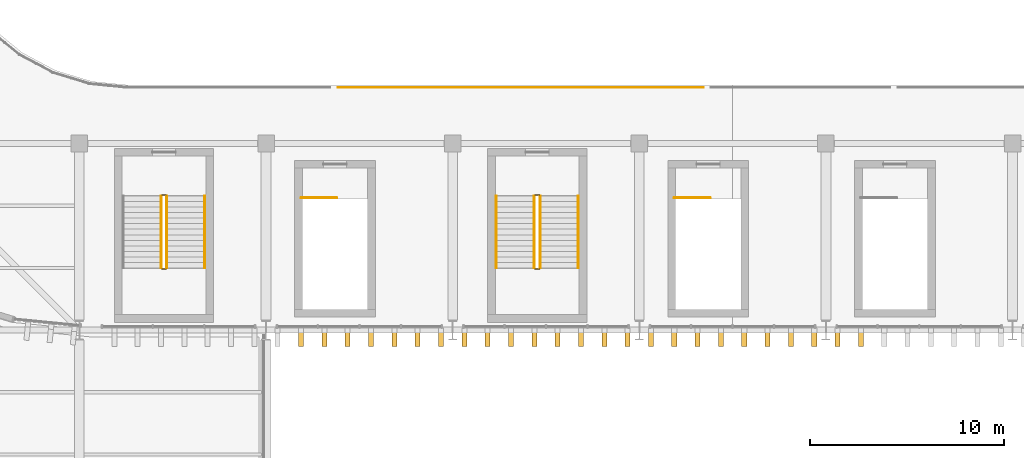
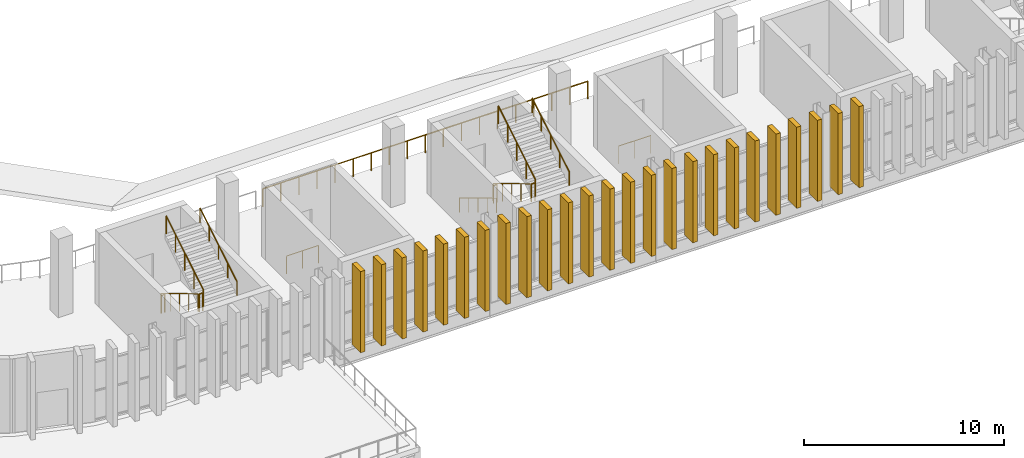
# One storey, part 82 of 99: 25 coverings, 14 railings.
"""IFC4 building model written with IfcOpenShell, lengths in metres."""

from ifc_helpers import new_model, si_unit, direction, frame, origin, origin_2d, place, context, subcontext, project, spatial, rectangle, circle, extrude, material, material_profile, profile_set, type_object, element, save


model = new_model("IFC4")

# Units and contexts
model_context = context("Model", 3, precision=1e-05, world=origin(), true_north=direction((0.0, 1.0)))
body_context = subcontext(model_context, "Body", "Model", "MODEL_VIEW")
ifc_project = project(units=[si_unit("LENGTHUNIT", "METRE"), si_unit("AREAUNIT", "SQUARE_METRE"), si_unit("VOLUMEUNIT", "CUBIC_METRE"), si_unit("PLANEANGLEUNIT", "RADIAN"), si_unit("MASSUNIT", "GRAM", prefix="KILO")], contexts=[model_context])

# Site, building, storey
site_placement = place(None, origin())
site = spatial("IfcSite", under=ifc_project, at=site_placement, CompositionType="ELEMENT")
building_placement = place(site_placement, origin())
building = spatial("IfcBuilding", under=site, at=building_placement, Name="Caelomonte Colonnade Arena", CompositionType="ELEMENT")
storey_placement = place(building_placement, frame((0.0, 0.0, 4.800048828125)))
storey = spatial("IfcBuildingStorey", under=building, at=storey_placement, Name="L01", CompositionType="ELEMENT", Elevation=4.800048828125)

# Coverings
ifc_material_1 = material(Name="Precast travertine cladding", Category="masonry")
ifc_material_profile = material_profile(ifc_material_1, rectangle(XDim=0.260009765625, YDim=0.85009765625, at=origin_2d()), Name="FIN260X850")
ifc_profile_set = profile_set([ifc_material_profile], Name="Precast travertine cladding")
covering_type = type_object("IfcCoveringType", Name="ENV-FN-SHAFT", PredefinedType="CLADDING", material=ifc_profile_set)
for number, where, z_axis, x_axis, name in (
    (1, (88.199951171875, 18.779052734375, -0.16015625), (0.0, 0.0, 1.0), (-1.0, 0.0, 0.0), "V1 L01 classical travertine vertical fin 247"),
    (2, (89.39990234375, 18.779052734375, -0.16015625), (0.0, 0.0, 1.0), (-1.0, 0.0, 0.0), "V1 L01 classical travertine vertical fin 248"),
    (3, (90.60009765625, 18.779052734375, -0.16015625), (0.0, 0.0, 1.0), (-1.0, 0.0, 0.0), "V1 L01 classical travertine vertical fin 249"),
    (4, (91.800048828125, 18.779052734375, -0.16015625), (0.0, 0.0, 1.0), (-1.0, 0.0, 0.0), "V1 L01 classical travertine vertical fin 250"),
    (5, (93.0, 18.779052734375, -0.16015625), (0.0, 0.0, 1.0), (-1.0, 0.0, 0.0), "V1 L01 classical travertine vertical fin 251"),
    (6, (94.199951171875, 18.779052734375, -0.16015625), (0.0, 0.0, 1.0), (-1.0, 0.0, 0.0), "V1 L01 classical travertine vertical fin 252"),
    (7, (95.39990234375, 18.779052734375, -0.16015625), (0.0, 0.0, 1.0), (-1.0, 0.0, 0.0), "V1 L01 classical travertine vertical fin 253"),
    (8, (96.60009765625, 18.779052734375, -0.16015625), (0.0, 0.0, 1.0), (-1.0, 0.0, 0.0), "V1 L01 classical travertine vertical fin 254"),
    (9, (97.800048828125, 18.779052734375, -0.16015625), (0.0, 0.0, 1.0), (-1.0, 0.0, 0.0), "V1 L01 classical travertine vertical fin 255"),
    (10, (99.0, 18.779052734375, -0.16015625), (0.0, 0.0, 1.0), (-1.0, 0.0, 0.0), "V1 L01 classical travertine vertical fin 256"),
    (11, (100.199951171875, 18.779052734375, -0.16015625), (0.0, 0.0, 1.0), (-1.0, 0.0, 0.0), "V1 L01 classical travertine vertical fin 257"),
    (12, (101.39990234375, 18.779052734375, -0.16015625), (0.0, 0.0, 1.0), (-1.0, 0.0, 0.0), "V1 L01 classical travertine vertical fin 258"),
    (13, (102.60009765625, 18.779052734375, -0.16015625), (0.0, 0.0, 1.0), (-1.0, 0.0, 0.0), "V1 L01 classical travertine vertical fin 259"),
    (14, (103.800048828125, 18.779052734375, -0.16015625), (0.0, 0.0, 1.0), (-1.0, 0.0, 0.0), "V1 L01 classical travertine vertical fin 260"),
    (15, (105.0, 18.779052734375, -0.16015625), (0.0, 0.0, 1.0), (-1.0, 0.0, 0.0), "V1 L01 classical travertine vertical fin 261"),
    (16, (106.199951171875, 18.779052734375, -0.16015625), (0.0, 0.0, 1.0), (-1.0, 0.0, 0.0), "V1 L01 classical travertine vertical fin 262"),
    (17, (107.39990234375, 18.779052734375, -0.16015625), (0.0, 0.0, 1.0), (-1.0, 0.0, 0.0), "V1 L01 classical travertine vertical fin 263"),
    (18, (108.60009765625, 18.779052734375, -0.16015625), (0.0, 0.0, 1.0), (-1.0, 0.0, 0.0), "V1 L01 classical travertine vertical fin 264"),
    (19, (109.800048828125, 18.779052734375, -0.16015625), (0.0, 0.0, 1.0), (-1.0, 0.0, 0.0), "V1 L01 classical travertine vertical fin 265"),
    (20, (111.0, 18.779052734375, -0.16015625), (0.0, 0.0, 1.0), (-1.0, 0.0, 0.0), "V1 L01 classical travertine vertical fin 266"),
    (21, (112.199951171875, 18.779052734375, -0.16015625), (0.0, 0.0, 1.0), (-1.0, 0.0, 0.0), "V1 L01 classical travertine vertical fin 267"),
    (22, (113.39990234375, 18.779052734375, -0.16015625), (0.0, 0.0, 1.0), (-1.0, 0.0, 0.0), "V1 L01 classical travertine vertical fin 268"),
    (23, (114.60009765625, 18.779052734375, -0.16015625), (0.0, 0.0, 1.0), (-1.0, 0.0, 0.0), "V1 L01 classical travertine vertical fin 269"),
    (24, (115.800048828125, 18.779052734375, -0.16015625), (0.0, 0.0, 1.0), (-1.0, 0.0, 0.0), "V1 L01 classical travertine vertical fin 270"),
    (25, (117.0, 18.779052734375, -0.16015625), (0.0, 0.0, 1.0), (-1.0, 0.0, 0.0), "V1 L01 classical travertine vertical fin 271"),
):
    element("IfcCovering", number, at=place(storey_placement, frame(where, z_axis=z_axis, x_axis=x_axis)), inside=storey, type_object=covering_type, Name=name, PredefinedType="CLADDING", context=body_context, shape_type="SweptSolid", body=[
        extrude(rectangle(XDim=0.260009765625, YDim=0.85009765625, at=origin_2d()), origin(), (0.0, 0.0, 1.0), 4.960205078125),
    ])

# Railings
ifc_material_2 = material(Name="Painted galvanized steel handrail and posts", Category="steel")
railing_type_1 = type_object("IfcRailingType", Name="ENV-RL-GRD1", PredefinedType="GUARDRAIL", material=ifc_material_2)
railing_1_placement = place(storey_placement, frame((90.10693359375, 31.679931640625, 0.0)))
element("IfcRailing", 26, at=railing_1_placement, inside=storey, type_object=railing_type_1, Name="L01 lower concourse bowl guard 4", PredefinedType="GUARDRAIL", context=body_context, shape_type="SweptSolid", body=[
    extrude(circle(Radius=0.02392578125, at=origin_2d()), frame((0.0, 0.0, 1.076171875), z_axis=(1.0, 0.0, 0.0), x_axis=(0.0, 1.0, 0.0)), (0.0, 0.0, 1.0), 18.7861328125),
    extrude(circle(Radius=0.02099609375, at=origin_2d()), origin(), (0.0, 0.0, 1.0), 1.048095703125),
    extrude(circle(Radius=0.02099609375, at=origin_2d()), frame((1.043701171875, 0.0, 0.0)), (0.0, 0.0, 1.0), 1.048095703125),
    extrude(circle(Radius=0.02099609375, at=origin_2d()), frame((2.08740234375, 0.0, 0.0)), (0.0, 0.0, 1.0), 1.048095703125),
    extrude(circle(Radius=0.02099609375, at=origin_2d()), frame((3.131103515625, 0.0, 0.0)), (0.0, 0.0, 1.0), 1.048095703125),
    extrude(circle(Radius=0.02099609375, at=origin_2d()), frame((4.1748046875, 0.0, 0.0)), (0.0, 0.0, 1.0), 1.048095703125),
    extrude(circle(Radius=0.02099609375, at=origin_2d()), frame((5.21826171875, 0.0, 0.0)), (0.0, 0.0, 1.0), 1.048095703125),
    extrude(circle(Radius=0.02099609375, at=origin_2d()), frame((6.261962890625, 0.0, 0.0)), (0.0, 0.0, 1.0), 1.048095703125),
    extrude(circle(Radius=0.02099609375, at=origin_2d()), frame((7.3056640625, 0.0, 0.0)), (0.0, 0.0, 1.0), 1.048095703125),
    extrude(circle(Radius=0.02099609375, at=origin_2d()), frame((8.349365234375, 0.0, 0.0)), (0.0, 0.0, 1.0), 1.048095703125),
    extrude(circle(Radius=0.02099609375, at=origin_2d()), frame((9.39306640625, 0.0, 0.0)), (0.0, 0.0, 1.0), 1.048095703125),
    extrude(circle(Radius=0.02099609375, at=origin_2d()), frame((10.436767578125, 0.0, 0.0)), (0.0, 0.0, 1.0), 1.048095703125),
    extrude(circle(Radius=0.02099609375, at=origin_2d()), frame((11.48046875, 0.0, 0.0)), (0.0, 0.0, 1.0), 1.048095703125),
    extrude(circle(Radius=0.02099609375, at=origin_2d()), frame((12.524169921875, 0.0, 0.0)), (0.0, 0.0, 1.0), 1.048095703125),
    extrude(circle(Radius=0.02099609375, at=origin_2d()), frame((13.56787109375, 0.0, 0.0)), (0.0, 0.0, 1.0), 1.048095703125),
    extrude(circle(Radius=0.02099609375, at=origin_2d()), frame((14.611328125, 0.0, 0.0)), (0.0, 0.0, 1.0), 1.048095703125),
    extrude(circle(Radius=0.02099609375, at=origin_2d()), frame((15.655029296875, 0.0, 0.0)), (0.0, 0.0, 1.0), 1.048095703125),
    extrude(circle(Radius=0.02099609375, at=origin_2d()), frame((16.69873046875, 0.0, 0.0)), (0.0, 0.0, 1.0), 1.048095703125),
    extrude(circle(Radius=0.02099609375, at=origin_2d()), frame((17.742431640625, 0.0, 0.0)), (0.0, 0.0, 1.0), 1.048095703125),
    extrude(circle(Radius=0.02099609375, at=origin_2d()), frame((18.7861328125, 0.0, 0.0)), (0.0, 0.0, 1.0), 1.048095703125),
])
ifc_material_3 = material(Name="Painted galvanized steel stair guard", Category="steel")
railing_type_2 = type_object("IfcRailingType", Name="INT-RL-GRD", PredefinedType="GUARDRAIL", material=ifc_material_3)
railing_2_placement = place(storey_placement, frame((81.0, 26.10009765625, 0.17138671875)))
element("IfcRailing", 27, at=railing_2_placement, inside=storey, type_object=railing_type_2, Name="L01 ST-11 stair guard 1", PredefinedType="GUARDRAIL", context=body_context, shape_type="SweptSolid", body=[
    extrude(circle(Radius=0.02392578125, at=origin_2d()), frame((0.0, 0.0, 1.076171875), z_axis=(0.0, -0.856934400257, 0.515425487977), x_axis=(1.0, 0.0, 0.0)), (0.0, 0.0, 1.0), 4.32373046875),
    extrude(circle(Radius=0.02099609375, at=origin_2d()), origin(), (0.0, 0.0, 1.0), 1.048095703125),
    extrude(circle(Radius=0.02099609375, at=origin_2d()), frame((0.0, -0.92626953125, 0.55712890625)), (0.0, 0.0, 1.0), 1.048095703125),
    extrude(circle(Radius=0.02099609375, at=origin_2d()), frame((0.0, -1.8525390625, 1.1142578125)), (0.0, 0.0, 1.0), 1.048095703125),
    extrude(circle(Radius=0.02099609375, at=origin_2d()), frame((0.0, -2.77880859375, 1.67138671875)), (0.0, 0.0, 1.0), 1.048095703125),
    extrude(circle(Radius=0.02099609375, at=origin_2d()), frame((0.0, -3.705078125, 2.228515625)), (0.0, 0.0, 1.0), 1.048095703125),
])
railing_3_placement = place(storey_placement, frame((81.050048828125, 22.344970703125, 2.39990234375)))
element("IfcRailing", 28, at=railing_3_placement, inside=storey, type_object=railing_type_2, Name="L01 ST-11 stair guard 2", PredefinedType="GUARDRAIL", context=body_context, shape_type="SweptSolid", body=[
    extrude(circle(Radius=0.02392578125, at=origin_2d()), frame((0.0, 0.0, 1.076171875), z_axis=(1.0, 0.0, 0.0), x_axis=(0.0, 1.0, 0.0)), (0.0, 0.0, 1.0), 0.199951171875),
    extrude(circle(Radius=0.02099609375, at=origin_2d()), origin(), (0.0, 0.0, 1.0), 1.048095703125),
    extrude(circle(Radius=0.02099609375, at=origin_2d()), frame((0.199951171875, 0.0, 0.0)), (0.0, 0.0, 1.0), 1.048095703125),
])
railing_4_placement = place(storey_placement, frame((81.300048828125, 22.39501953125, 2.5712890625)))
element("IfcRailing", 29, at=railing_4_placement, inside=storey, type_object=railing_type_2, Name="L01 ST-11 stair guard 3", PredefinedType="GUARDRAIL", context=body_context, shape_type="SweptSolid", body=[
    extrude(circle(Radius=0.02392578125, at=origin_2d()), frame((0.0, 0.0, 1.076171875), z_axis=(0.0, 0.856909459561, 0.515466951525), x_axis=(-1.0, 0.0, 0.0)), (0.0, 0.0, 1.0), 4.32373046875),
    extrude(circle(Radius=0.02099609375, at=origin_2d()), origin(), (0.0, 0.0, 1.0), 1.048095703125),
    extrude(circle(Radius=0.02099609375, at=origin_2d()), frame((0.0, 0.92626953125, 0.55712890625)), (0.0, 0.0, 1.0), 1.048095703125),
    extrude(circle(Radius=0.02099609375, at=origin_2d()), frame((0.0, 1.8525390625, 1.1142578125)), (0.0, 0.0, 1.0), 1.048095703125),
    extrude(circle(Radius=0.02099609375, at=origin_2d()), frame((0.0, 2.77880859375, 1.671630859375)), (0.0, 0.0, 1.0), 1.048095703125),
    extrude(circle(Radius=0.02099609375, at=origin_2d()), frame((0.0, 3.705078125, 2.228759765625)), (0.0, 0.0, 1.0), 1.048095703125),
])
railing_5_placement = place(storey_placement, frame((81.050048828125, 26.14990234375, 0.0)))
element("IfcRailing", 30, at=railing_5_placement, inside=storey, type_object=railing_type_2, Name="L01 ST-11 stair guard 4", PredefinedType="GUARDRAIL", context=body_context, shape_type="SweptSolid", body=[
    extrude(circle(Radius=0.02392578125, at=origin_2d()), frame((0.0, 0.0, 1.076171875), z_axis=(1.0, 0.0, 0.0), x_axis=(0.0, 1.0, 0.0)), (0.0, 0.0, 1.0), 0.199951171875),
    extrude(circle(Radius=0.02099609375, at=origin_2d()), origin(), (0.0, 0.0, 1.0), 1.048095703125),
    extrude(circle(Radius=0.02099609375, at=origin_2d()), frame((0.199951171875, 0.0, 0.0)), (0.0, 0.0, 1.0), 1.048095703125),
])
railing_6_placement = place(storey_placement, frame((100.199951171875, 26.10009765625, 0.17138671875)))
element("IfcRailing", 31, at=railing_6_placement, inside=storey, type_object=railing_type_2, Name="L01 ST-12 stair guard 1", PredefinedType="GUARDRAIL", context=body_context, shape_type="SweptSolid", body=[
    extrude(circle(Radius=0.02392578125, at=origin_2d()), frame((0.0, 0.0, 1.076171875), z_axis=(0.0, -0.856934400257, 0.515425487977), x_axis=(1.0, 0.0, 0.0)), (0.0, 0.0, 1.0), 4.32373046875),
    extrude(circle(Radius=0.02099609375, at=origin_2d()), origin(), (0.0, 0.0, 1.0), 1.048095703125),
    extrude(circle(Radius=0.02099609375, at=origin_2d()), frame((0.0, -0.92626953125, 0.55712890625)), (0.0, 0.0, 1.0), 1.048095703125),
    extrude(circle(Radius=0.02099609375, at=origin_2d()), frame((0.0, -1.8525390625, 1.1142578125)), (0.0, 0.0, 1.0), 1.048095703125),
    extrude(circle(Radius=0.02099609375, at=origin_2d()), frame((0.0, -2.77880859375, 1.67138671875)), (0.0, 0.0, 1.0), 1.048095703125),
    extrude(circle(Radius=0.02099609375, at=origin_2d()), frame((0.0, -3.705078125, 2.228515625)), (0.0, 0.0, 1.0), 1.048095703125),
])
railing_7_placement = place(storey_placement, frame((100.25, 22.344970703125, 2.39990234375)))
element("IfcRailing", 32, at=railing_7_placement, inside=storey, type_object=railing_type_2, Name="L01 ST-12 stair guard 2", PredefinedType="GUARDRAIL", context=body_context, shape_type="SweptSolid", body=[
    extrude(circle(Radius=0.02392578125, at=origin_2d()), frame((0.0, 0.0, 1.076171875), z_axis=(1.0, 0.0, 0.0), x_axis=(0.0, 1.0, 0.0)), (0.0, 0.0, 1.0), 0.199951171875),
    extrude(circle(Radius=0.02099609375, at=origin_2d()), origin(), (0.0, 0.0, 1.0), 1.048095703125),
    extrude(circle(Radius=0.02099609375, at=origin_2d()), frame((0.199951171875, 0.0, 0.0)), (0.0, 0.0, 1.0), 1.048095703125),
])
railing_8_placement = place(storey_placement, frame((100.5, 22.39501953125, 2.5712890625)))
element("IfcRailing", 33, at=railing_8_placement, inside=storey, type_object=railing_type_2, Name="L01 ST-12 stair guard 3", PredefinedType="GUARDRAIL", context=body_context, shape_type="SweptSolid", body=[
    extrude(circle(Radius=0.02392578125, at=origin_2d()), frame((0.0, 0.0, 1.076171875), z_axis=(0.0, 0.856909459561, 0.515466951525), x_axis=(-1.0, 0.0, 0.0)), (0.0, 0.0, 1.0), 4.32373046875),
    extrude(circle(Radius=0.02099609375, at=origin_2d()), origin(), (0.0, 0.0, 1.0), 1.048095703125),
    extrude(circle(Radius=0.02099609375, at=origin_2d()), frame((0.0, 0.92626953125, 0.55712890625)), (0.0, 0.0, 1.0), 1.048095703125),
    extrude(circle(Radius=0.02099609375, at=origin_2d()), frame((0.0, 1.8525390625, 1.1142578125)), (0.0, 0.0, 1.0), 1.048095703125),
    extrude(circle(Radius=0.02099609375, at=origin_2d()), frame((0.0, 2.77880859375, 1.671630859375)), (0.0, 0.0, 1.0), 1.048095703125),
    extrude(circle(Radius=0.02099609375, at=origin_2d()), frame((0.0, 3.705078125, 2.228759765625)), (0.0, 0.0, 1.0), 1.048095703125),
])
railing_9_placement = place(storey_placement, frame((100.25, 26.14990234375, 0.0)))
element("IfcRailing", 34, at=railing_9_placement, inside=storey, type_object=railing_type_2, Name="L01 ST-12 stair guard 4", PredefinedType="GUARDRAIL", context=body_context, shape_type="SweptSolid", body=[
    extrude(circle(Radius=0.02392578125, at=origin_2d()), frame((0.0, 0.0, 1.076171875), z_axis=(1.0, 0.0, 0.0), x_axis=(0.0, 1.0, 0.0)), (0.0, 0.0, 1.0), 0.199951171875),
    extrude(circle(Radius=0.02099609375, at=origin_2d()), origin(), (0.0, 0.0, 1.0), 1.048095703125),
    extrude(circle(Radius=0.02099609375, at=origin_2d()), frame((0.199951171875, 0.0, 0.0)), (0.0, 0.0, 1.0), 1.048095703125),
])
for number, where, name in (
    (35, (88.199951171875, 26.0, 0.0), "L01 ST-V01 top well guard 1"),
    (36, (107.39990234375, 26.0, 0.0), "L01 ST-V02 top well guard 1"),
):
    element("IfcRailing", number, at=place(storey_placement, frame(where)), inside=storey, type_object=railing_type_2, Name=name, PredefinedType="GUARDRAIL", context=body_context, shape_type="SweptSolid", body=[
        extrude(circle(Radius=0.02392578125, at=origin_2d()), frame((0.0, 0.0, 1.076171875), z_axis=(1.0, 0.0, 0.0), x_axis=(0.0, 1.0, 0.0)), (0.0, 0.0, 1.0), 1.85009765625),
        extrude(circle(Radius=0.02099609375, at=origin_2d()), origin(), (0.0, 0.0, 1.0), 1.048095703125),
        extrude(circle(Radius=0.02099609375, at=origin_2d()), frame((0.925048828125, 0.0, 0.0)), (0.0, 0.0, 1.0), 1.048095703125),
        extrude(circle(Radius=0.02099609375, at=origin_2d()), frame((1.85009765625, 0.0, 0.0)), (0.0, 0.0, 1.0), 1.048095703125),
    ])
ifc_material_4 = material(Name="Brushed stainless steel stair handrail", Category="steel")
railing_type_3 = type_object("IfcRailingType", Name="INT-RL-HR", PredefinedType="HANDRAIL", material=ifc_material_4)
railing_10_placement = place(storey_placement, frame((83.25, 22.39501953125, 2.5712890625)))
element("IfcRailing", 37, at=railing_10_placement, inside=storey, type_object=railing_type_3, Name="L01 ST-11 stair handrail 2", PredefinedType="HANDRAIL", context=body_context, shape_type="SweptSolid", body=[
    extrude(circle(Radius=0.02392578125, at=origin_2d()), frame((0.0, 0.0, 0.8759765625), z_axis=(0.0, 0.856909459561, 0.515466951525), x_axis=(-1.0, 0.0, 0.0)), (0.0, 0.0, 1.0), 4.32373046875),
    extrude(circle(Radius=0.02099609375, at=origin_2d()), origin(), (0.0, 0.0, 1.0), 0.847900390625),
    extrude(circle(Radius=0.02099609375, at=origin_2d()), frame((0.0, 0.92626953125, 0.55712890625)), (0.0, 0.0, 1.0), 0.847900390625),
    extrude(circle(Radius=0.02099609375, at=origin_2d()), frame((0.0, 1.8525390625, 1.1142578125)), (0.0, 0.0, 1.0), 0.847900390625),
    extrude(circle(Radius=0.02099609375, at=origin_2d()), frame((0.0, 2.77880859375, 1.671630859375)), (0.0, 0.0, 1.0), 0.847900390625),
    extrude(circle(Radius=0.02099609375, at=origin_2d()), frame((0.0, 3.705078125, 2.228759765625)), (0.0, 0.0, 1.0), 0.847900390625),
])
railing_11_placement = place(storey_placement, frame((98.25, 26.10009765625, 0.17138671875)))
element("IfcRailing", 38, at=railing_11_placement, inside=storey, type_object=railing_type_3, Name="L01 ST-12 stair handrail 1", PredefinedType="HANDRAIL", context=body_context, shape_type="SweptSolid", body=[
    extrude(circle(Radius=0.02392578125, at=origin_2d()), frame((0.0, 0.0, 0.8759765625), z_axis=(0.0, -0.856934400257, 0.515425487977), x_axis=(1.0, 0.0, 0.0)), (0.0, 0.0, 1.0), 4.32373046875),
    extrude(circle(Radius=0.02099609375, at=origin_2d()), origin(), (0.0, 0.0, 1.0), 0.847900390625),
    extrude(circle(Radius=0.02099609375, at=origin_2d()), frame((0.0, -0.92626953125, 0.55712890625)), (0.0, 0.0, 1.0), 0.847900390625),
    extrude(circle(Radius=0.02099609375, at=origin_2d()), frame((0.0, -1.8525390625, 1.1142578125)), (0.0, 0.0, 1.0), 0.847900390625),
    extrude(circle(Radius=0.02099609375, at=origin_2d()), frame((0.0, -2.77880859375, 1.67138671875)), (0.0, 0.0, 1.0), 0.847900390625),
    extrude(circle(Radius=0.02099609375, at=origin_2d()), frame((0.0, -3.705078125, 2.228515625)), (0.0, 0.0, 1.0), 0.847900390625),
])
railing_12_placement = place(storey_placement, frame((102.449951171875, 22.39501953125, 2.5712890625)))
element("IfcRailing", 39, at=railing_12_placement, inside=storey, type_object=railing_type_3, Name="L01 ST-12 stair handrail 2", PredefinedType="HANDRAIL", context=body_context, shape_type="SweptSolid", body=[
    extrude(circle(Radius=0.02392578125, at=origin_2d()), frame((0.0, 0.0, 0.8759765625), z_axis=(0.0, 0.856909459561, 0.515466951525), x_axis=(-1.0, 0.0, 0.0)), (0.0, 0.0, 1.0), 4.32373046875),
    extrude(circle(Radius=0.02099609375, at=origin_2d()), origin(), (0.0, 0.0, 1.0), 0.847900390625),
    extrude(circle(Radius=0.02099609375, at=origin_2d()), frame((0.0, 0.92626953125, 0.55712890625)), (0.0, 0.0, 1.0), 0.847900390625),
    extrude(circle(Radius=0.02099609375, at=origin_2d()), frame((0.0, 1.8525390625, 1.1142578125)), (0.0, 0.0, 1.0), 0.847900390625),
    extrude(circle(Radius=0.02099609375, at=origin_2d()), frame((0.0, 2.77880859375, 1.671630859375)), (0.0, 0.0, 1.0), 0.847900390625),
    extrude(circle(Radius=0.02099609375, at=origin_2d()), frame((0.0, 3.705078125, 2.228759765625)), (0.0, 0.0, 1.0), 0.847900390625),
])

save(model, "model.ifc")
